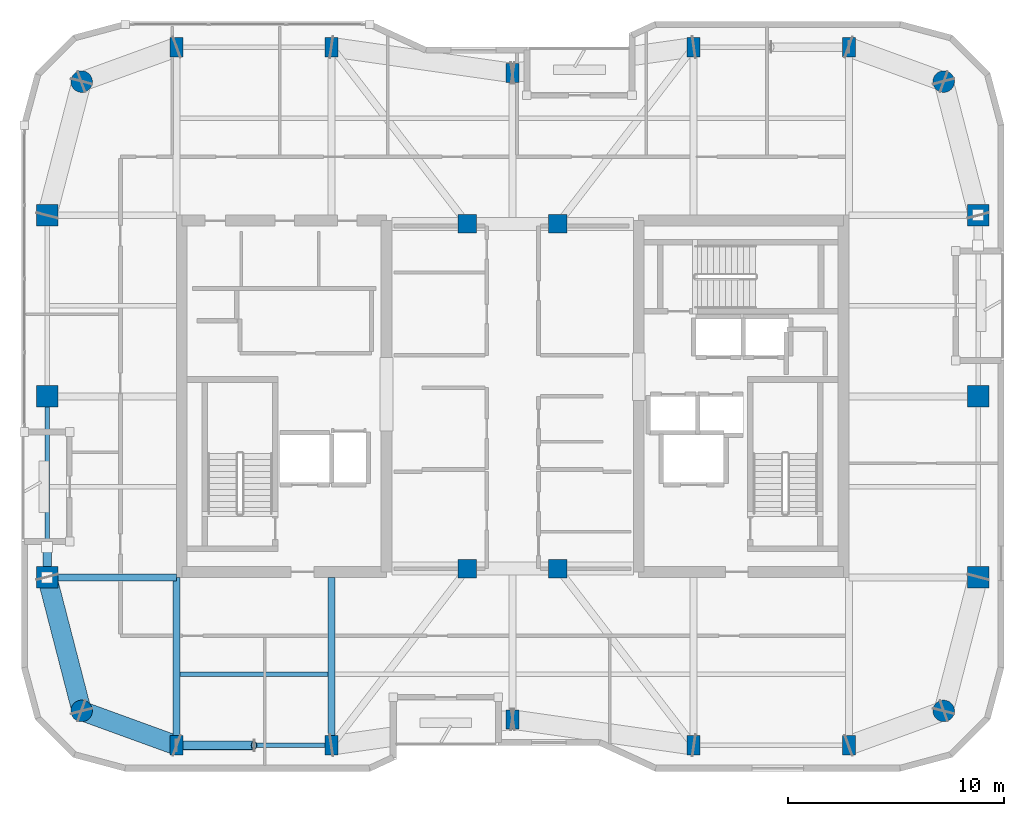
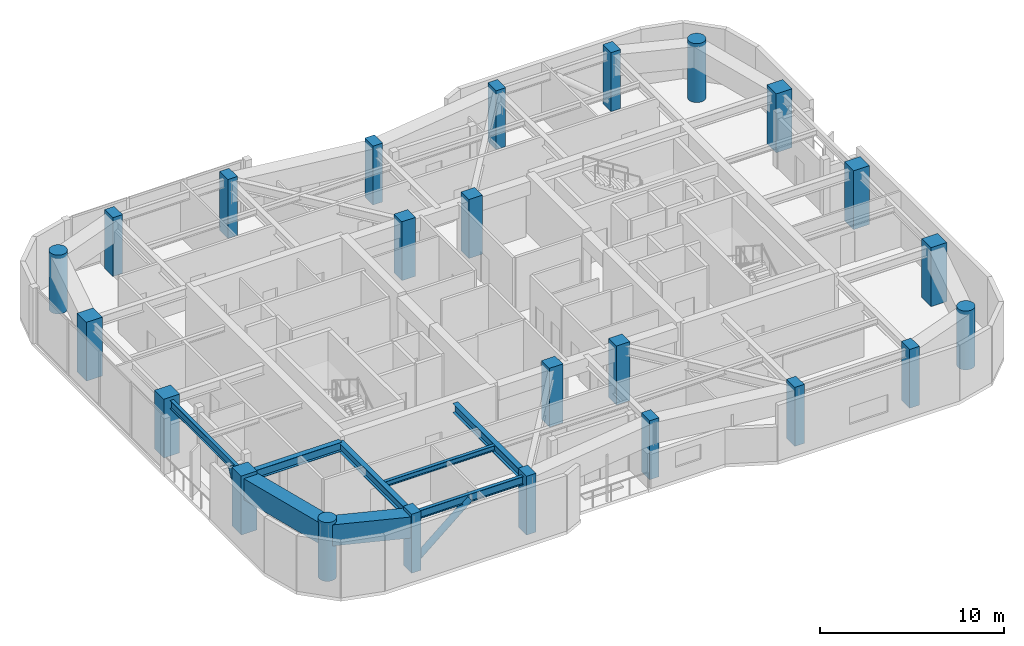
# One storey, part 1 of 15: 24 columns, 8 beams, 2 members.
"""IFC4 building model written with IfcOpenShell, lengths in metres."""

from ifc_helpers import new_model, si_unit, direction, frame, origin, origin_2d, place, context, subcontext, project, spatial, rectangle, hollow_rectangle, circle, hollow_circle, i_section, extrude, material, material_profile, profile_set, type_object, element, save


model = new_model("IFC4")

# Units and contexts
model_context = context("Model", 3, precision=1e-05, world=origin(), true_north=direction((0.0, 1.0)))
body_context = subcontext(model_context, "Body", "Model", "MODEL_VIEW")
ifc_project = project(units=[si_unit("LENGTHUNIT", "METRE"), si_unit("AREAUNIT", "SQUARE_METRE"), si_unit("VOLUMEUNIT", "CUBIC_METRE"), si_unit("PLANEANGLEUNIT", "RADIAN"), si_unit("MASSUNIT", "GRAM", prefix="KILO")], contexts=[model_context])

# Site, building, storey
site_placement = place(None, origin())
site = spatial("IfcSite", under=ifc_project, at=site_placement, CompositionType="ELEMENT")
building_placement = place(site_placement, origin())
building = spatial("IfcBuilding", under=site, at=building_placement, Name="Kiyonajd Concourse Tower", CompositionType="ELEMENT")
storey_placement = place(building_placement, frame((0.0, 0.0, 262.800048828125)))
storey = spatial("IfcBuildingStorey", under=building, at=storey_placement, Name="L66", CompositionType="ELEMENT", Elevation=262.800048828125)

# Columns
ifc_material_1 = material(Name="Concrete C60/75", Category="concrete")
ifc_material_profile_1 = material_profile(ifc_material_1, rectangle(XDim=0.60009765625, YDim=0.89990234375, at=origin_2d()), Name="RC-900x600")
ifc_profile_set_1 = profile_set([ifc_material_profile_1], Name="Concrete C60/75")
column_type_1 = type_object("IfcColumnType", Name="CL-BLADE-900", PredefinedType="COLUMN", material=ifc_profile_set_1)
for number, where, z_axis, x_axis, name in (
    (1, (32.39990234375, 19.800048828125, 0.0), (0.0, 0.0, 1.0), (1.0, 0.0, 0.0), "L66 Perimeter Bundled Tube Column"),
    (2, (32.39990234375, 52.199951171875, 0.0), (0.0, 0.0, 1.0), (1.0, 0.0, 0.0), "L66 Perimeter Bundled Tube Column"),
    (3, (39.60009765625, 19.800048828125, 0.0), (0.0, 0.0, 1.0), (1.0, 0.0, 0.0), "L66 Perimeter Bundled Tube Column"),
    (4, (39.60009765625, 52.199951171875, 0.0), (0.0, 0.0, 1.0), (1.0, 0.0, 0.0), "L66 Perimeter Bundled Tube Column"),
    (5, (48.0, 21.0, 0.0), (0.0, 0.0, 1.0), (1.0, 0.0, 0.0), "L66 Perimeter Bundled Tube Column"),
    (6, (48.0, 51.0, 0.0), (0.0, 0.0, 1.0), (1.0, 0.0, 0.0), "L66 Perimeter Bundled Tube Column"),
    (7, (56.39990234375, 19.800048828125, 0.0), (0.0, 0.0, 1.0), (1.0, 0.0, 0.0), "L66 Perimeter Bundled Tube Column"),
    (8, (56.39990234375, 52.199951171875, 0.0), (0.0, 0.0, 1.0), (1.0, 0.0, 0.0), "L66 Perimeter Bundled Tube Column"),
    (9, (63.60009765625, 19.800048828125, 0.0), (0.0, 0.0, 1.0), (1.0, 0.0, 0.0), "L66 Perimeter Bundled Tube Column"),
    (10, (63.60009765625, 52.199951171875, 0.0), (0.0, 0.0, 1.0), (1.0, 0.0, 0.0), "L66 Perimeter Bundled Tube Column"),
):
    element("IfcColumn", number, at=place(storey_placement, frame(where, z_axis=z_axis, x_axis=x_axis)), inside=storey, type_object=column_type_1, Name=name, PredefinedType="COLUMN", context=body_context, shape_type="SweptSolid", body=[
        extrude(rectangle(XDim=0.60009765625, YDim=0.89990234375, at=origin_2d()), origin(), (0.0, 0.0, 1.0), 3.89990234375),
    ])
ifc_material_profile_2 = material_profile(ifc_material_1, circle(Radius=0.5, at=origin_2d()), Name="RCC-D1000")
ifc_profile_set_2 = profile_set([ifc_material_profile_2], Name="Concrete C60/75")
column_type_2 = type_object("IfcColumnType", Name="CL-RND-1000", PredefinedType="COLUMN", material=ifc_profile_set_2)
for number, where, z_axis, x_axis, name in (
    (11, (28.0, 21.39990234375, 0.0), (0.0, 0.0, 1.0), (1.0, 0.0, 0.0), "L66 Bundled Tube Corner Column South West"),
    (12, (68.0, 21.39990234375, 0.0), (0.0, 0.0, 1.0), (1.0, 0.0, 0.0), "L66 Bundled Tube Corner Column South East"),
    (13, (68.0, 50.60009765625, 0.0), (0.0, 0.0, 1.0), (1.0, 0.0, 0.0), "L66 Bundled Tube Corner Column North East"),
    (14, (28.0, 50.60009765625, 0.0), (0.0, 0.0, 1.0), (1.0, 0.0, 0.0), "L66 Bundled Tube Corner Column North West"),
):
    element("IfcColumn", number, at=place(storey_placement, frame(where, z_axis=z_axis, x_axis=x_axis)), inside=storey, type_object=column_type_2, Name=name, PredefinedType="COLUMN", context=body_context, shape_type="SweptSolid", body=[
        extrude(circle(Radius=0.5, at=origin_2d()), origin(), (0.0, 0.0, 1.0), 3.89990234375),
    ])
ifc_material_profile_3 = material_profile(ifc_material_1, rectangle(XDim=1.0, YDim=1.0, at=origin_2d()), Name="RC-1000x1000")
ifc_profile_set_3 = profile_set([ifc_material_profile_3], Name="Concrete C60/75")
column_type_3 = type_object("IfcColumnType", Name="CL-TUBE-1000", PredefinedType="COLUMN", material=ifc_profile_set_3)
for number, where, z_axis, x_axis, name in (
    (15, (26.39990234375, 27.60009765625, 0.0), (0.0, 0.0, 1.0), (1.0, 0.0, 0.0), "L66 Perimeter Bundled Tube Column"),
    (16, (69.60009765625, 27.60009765625, 0.0), (0.0, 0.0, 1.0), (1.0, 0.0, 0.0), "L66 Perimeter Bundled Tube Column"),
    (17, (26.39990234375, 36.0, 0.0), (0.0, 0.0, 1.0), (1.0, 0.0, 0.0), "L66 Perimeter Bundled Tube Column"),
    (18, (69.60009765625, 36.0, 0.0), (0.0, 0.0, 1.0), (1.0, 0.0, 0.0), "L66 Perimeter Bundled Tube Column"),
    (19, (26.39990234375, 44.39990234375, 0.0), (0.0, 0.0, 1.0), (1.0, 0.0, 0.0), "L66 Perimeter Bundled Tube Column"),
    (20, (69.60009765625, 44.39990234375, 0.0), (0.0, 0.0, 1.0), (1.0, 0.0, 0.0), "L66 Perimeter Bundled Tube Column"),
):
    element("IfcColumn", number, at=place(storey_placement, frame(where, z_axis=z_axis, x_axis=x_axis)), inside=storey, type_object=column_type_3, Name=name, PredefinedType="COLUMN", context=body_context, shape_type="SweptSolid", body=[
        extrude(rectangle(XDim=1.0, YDim=1.0, at=origin_2d()), origin(), (0.0, 0.0, 1.0), 3.89990234375),
    ])
ifc_material_profile_4 = material_profile(ifc_material_1, rectangle(XDim=0.85009765625, YDim=0.85009765625, at=origin_2d()), Name="RC-850x850")
ifc_profile_set_4 = profile_set([ifc_material_profile_4], Name="Concrete C60/75")
column_type_4 = type_object("IfcColumnType", Name="CL-TUBE-850", PredefinedType="COLUMN", material=ifc_profile_set_4)
for number, where, z_axis, x_axis, name in (
    (21, (45.89990234375, 28.0, 0.0), (0.0, 0.0, 1.0), (1.0, 0.0, 0.0), "L66 Core Tie Column South West"),
    (22, (50.10009765625, 28.0, 0.0), (0.0, 0.0, 1.0), (1.0, 0.0, 0.0), "L66 Core Tie Column South East"),
    (23, (45.89990234375, 44.0, 0.0), (0.0, 0.0, 1.0), (1.0, 0.0, 0.0), "L66 Core Tie Column North West"),
    (24, (50.10009765625, 44.0, 0.0), (0.0, 0.0, 1.0), (1.0, 0.0, 0.0), "L66 Core Tie Column North East"),
):
    element("IfcColumn", number, at=place(storey_placement, frame(where, z_axis=z_axis, x_axis=x_axis)), inside=storey, type_object=column_type_4, Name=name, PredefinedType="COLUMN", context=body_context, shape_type="SweptSolid", body=[
        extrude(rectangle(XDim=0.85009765625, YDim=0.85009765625, at=origin_2d()), origin(), (0.0, 0.0, 1.0), 3.89990234375),
    ])

# Beams
ifc_material_2 = material(Name="Steel ASTM A992 Grade 50", Category="steel")
ifc_material_profile_5 = material_profile(ifc_material_2, i_section(OverallWidth=0.205078125, OverallDepth=0.35400390625, WebThickness=0.009521484375, FlangeThickness=0.016845703125, at=origin_2d()), Name="W360X79")
ifc_profile_set_5 = profile_set([ifc_material_profile_5], Name="Steel ASTM A992 Grade 50")
beam_type_1 = type_object("IfcBeamType", Name="BM-JST-360", PredefinedType="JOIST", material=ifc_profile_set_5)
beam_1_placement = place(storey_placement, frame((32.56201171875, 23.10009765625, 3.5029296875), z_axis=(1.0, 0.0, 0.0), x_axis=(0.0, 1.0, 0.0)))
element("IfcBeam", 25, at=beam_1_placement, inside=storey, type_object=beam_type_1, Name="L66 Secondary Floor Joist", PredefinedType="JOIST", context=body_context, shape_type="SweptSolid", body=[
    extrude(i_section(OverallWidth=0.205078125, OverallDepth=0.35400390625, WebThickness=0.009521484375, FlangeThickness=0.016845703125, at=origin_2d()), origin(), (0.0, 0.0, 1.0), 6.8759765625),
])
ifc_material_profile_6 = material_profile(ifc_material_2, i_section(OverallWidth=0.2109375, OverallDepth=0.5390625, WebThickness=0.01171875, FlangeThickness=0.018798828125, at=origin_2d()), Name="W530X109")
ifc_profile_set_6 = profile_set([ifc_material_profile_6], Name="Steel ASTM A992 Grade 50")
beam_type_2 = type_object("IfcBeamType", Name="BM-SPAN-530B", PredefinedType="SPANDREL", material=ifc_profile_set_6)
beam_2_placement = place(storey_placement, frame((32.39990234375, 19.800048828125, 3.410400390625), z_axis=(1.0, 0.0, 0.0), x_axis=(0.0, 1.0, 0.0)))
element("IfcBeam", 26, at=beam_2_placement, inside=storey, type_object=beam_type_2, Name="L66 Perimeter Bundled Tube Spandrel", PredefinedType="SPANDREL", context=body_context, shape_type="SweptSolid", body=[
    extrude(i_section(OverallWidth=0.2109375, OverallDepth=0.5390625, WebThickness=0.01171875, FlangeThickness=0.018798828125, at=origin_2d()), origin(), (0.0, 0.0, 1.0), 7.2001953125),
])
beam_3_placement = place(storey_placement, frame((26.39990234375, 36.0, 3.410400390625), z_axis=(0.0, -1.0, 0.0), x_axis=(1.0, 0.0, 0.0)))
element("IfcBeam", 27, at=beam_3_placement, inside=storey, type_object=beam_type_2, Name="L66 Perimeter Bundled Tube Spandrel", PredefinedType="SPANDREL", context=body_context, shape_type="SweptSolid", body=[
    extrude(i_section(OverallWidth=0.2109375, OverallDepth=0.5390625, WebThickness=0.01171875, FlangeThickness=0.018798828125, at=origin_2d()), origin(), (0.0, 0.0, 1.0), 8.39990234375),
])
ifc_material_profile_7 = material_profile(ifc_material_2, i_section(OverallWidth=0.323974609375, OverallDepth=0.611083984375, WebThickness=0.0126953125, FlangeThickness=0.01904296875, at=origin_2d()), Name="W610X155")
ifc_profile_set_7 = profile_set([ifc_material_profile_7], Name="Steel ASTM A992 Grade 50")
beam_type_3 = type_object("IfcBeamType", Name="BM-TWR-610B", PredefinedType="BEAM", material=ifc_profile_set_7)
for number, where, z_axis, x_axis, name in (
    (28, (32.39990234375, 19.800048828125, 3.37451171875), (0.0, 1.0, 0.0), (-1.0, 0.0, 0.0), "L66 South Lease Girder"),
    (29, (39.60009765625, 19.800048828125, 3.37451171875), (0.0, 1.0, 0.0), (-1.0, 0.0, 0.0), "L66 South Lease Girder"),
):
    element("IfcBeam", number, at=place(storey_placement, frame(where, z_axis=z_axis, x_axis=x_axis)), inside=storey, type_object=beam_type_3, Name=name, PredefinedType="BEAM", context=body_context, shape_type="SweptSolid", body=[
        extrude(i_section(OverallWidth=0.323974609375, OverallDepth=0.611083984375, WebThickness=0.0126953125, FlangeThickness=0.01904296875, at=origin_2d()), origin(), (0.0, 0.0, 1.0), 7.800048828125),
    ])
beam_4_placement = place(storey_placement, frame((26.39990234375, 27.60009765625, 3.37451171875), z_axis=(1.0, 0.0, 0.0), x_axis=(0.0, 1.0, 0.0)))
element("IfcBeam", 30, at=beam_4_placement, inside=storey, type_object=beam_type_3, Name="L66 West Lease Girder", PredefinedType="BEAM", context=body_context, shape_type="SweptSolid", body=[
    extrude(i_section(OverallWidth=0.323974609375, OverallDepth=0.611083984375, WebThickness=0.0126953125, FlangeThickness=0.01904296875, at=origin_2d()), origin(), (0.0, 0.0, 1.0), 6.0),
])
ifc_material_3 = material(Name="Steel ASTM A572 Grade 50", Category="steel")
ifc_material_profile_8 = material_profile(ifc_material_3, hollow_rectangle(XDim=0.89990234375, YDim=1.39990234375, WallThickness=0.070068359375, at=origin_2d()), Name="BOX-1400x900x70")
ifc_profile_set_8 = profile_set([ifc_material_profile_8], Name="Steel ASTM A572 Grade 50")
beam_type_4 = type_object("IfcBeamType", Name="BM-XFER-1400", PredefinedType="BEAM", material=ifc_profile_set_8)
beam_5_placement = place(storey_placement, frame((26.39990234375, 27.60009765625, 2.97998046875), z_axis=(0.249884937687, -0.968275538221, 0.0), x_axis=(0.968275538221, 0.249884937687, 0.0)))
element("IfcBeam", 31, at=beam_5_placement, inside=storey, type_object=beam_type_4, Name="L66 Perimeter Bundled Tube Spandrel", PredefinedType="BEAM", context=body_context, shape_type="SweptSolid", body=[
    extrude(hollow_rectangle(XDim=0.89990234375, YDim=1.39990234375, WallThickness=0.070068359375, at=origin_2d()), origin(), (0.0, 0.0, 1.0), 6.4033203125),
])
beam_6_placement = place(storey_placement, frame((28.0, 21.39990234375, 2.97998046875), z_axis=(0.939801036019, -0.341722127901, 0.0), x_axis=(0.341722127901, 0.939801036019, 0.0)))
element("IfcBeam", 32, at=beam_6_placement, inside=storey, type_object=beam_type_4, Name="L66 Perimeter Bundled Tube Spandrel", PredefinedType="BEAM", context=body_context, shape_type="SweptSolid", body=[
    extrude(hollow_rectangle(XDim=0.89990234375, YDim=1.39990234375, WallThickness=0.070068359375, at=origin_2d()), origin(), (0.0, 0.0, 1.0), 4.681640625),
])

# Members
ifc_material_4 = material(Name="Steel ASTM A500 Grade C", Category="steel")
ifc_material_profile_9 = material_profile(ifc_material_4, hollow_circle(Radius=0.202880859375, WallThickness=0.01904296875, at=origin_2d()), Name="CHS-406x19")
ifc_profile_set_9 = profile_set([ifc_material_profile_9], Name="Steel ASTM A500 Grade C")
member_type = type_object("IfcMemberType", Name="MB-PB-HIGH", PredefinedType="BRACE", material=ifc_profile_set_9)
member_1_placement = place(storey_placement, frame((32.39990234375, 19.800048828125, 0.300048828125), z_axis=(0.765107605277, 0.0, 0.643902440085), x_axis=(0.0, 1.0, 0.0)))
element("IfcMember", 33, at=member_1_placement, inside=storey, type_object=member_type, Name="L66 Upper Zone Hollow Tube Brace PBS", PredefinedType="BRACE", context=body_context, shape_type="SweptSolid", body=[
    extrude(hollow_circle(Radius=0.202880859375, WallThickness=0.01904296875, at=origin_2d()), origin(), (0.0, 0.0, 1.0), 4.705322265625),
])
member_2_placement = place(storey_placement, frame((26.39990234375, 27.60009765625, 0.300048828125), z_axis=(0.0, 0.419438517439, 0.907783746323), x_axis=(-1.0, 0.0, 0.0)))
element("IfcMember", 34, at=member_2_placement, inside=storey, type_object=member_type, Name="L66 Upper Zone Hollow Tube Brace PBW", PredefinedType="BRACE", context=body_context, shape_type="SweptSolid", body=[
    extrude(hollow_circle(Radius=0.202880859375, WallThickness=0.01904296875, at=origin_2d()), origin(), (0.0, 0.0, 1.0), 3.337646484375),
])

save(model, "model.ifc")
